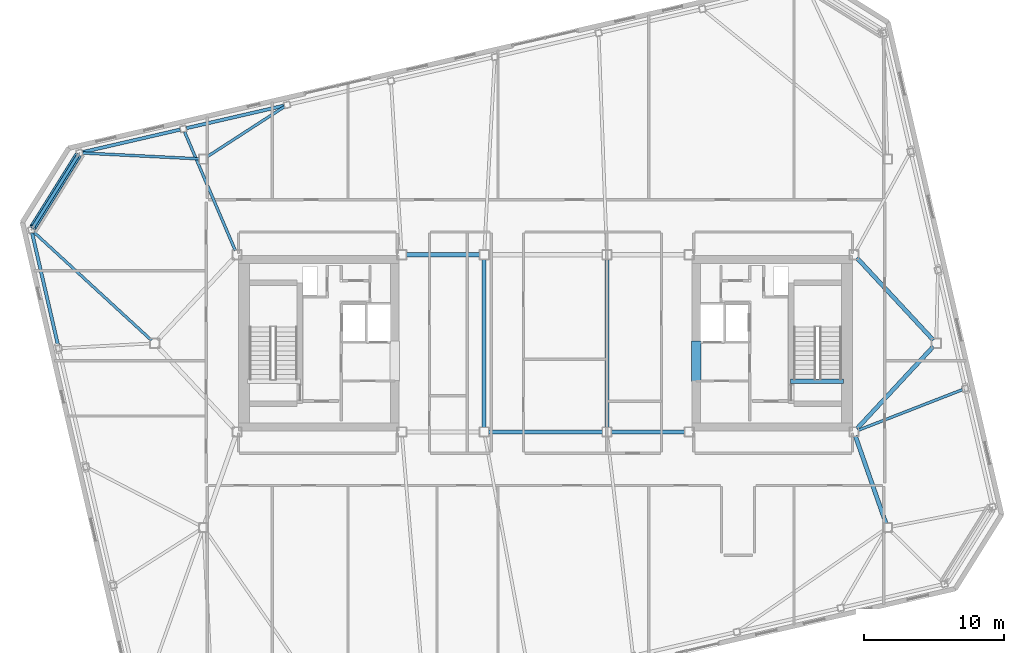
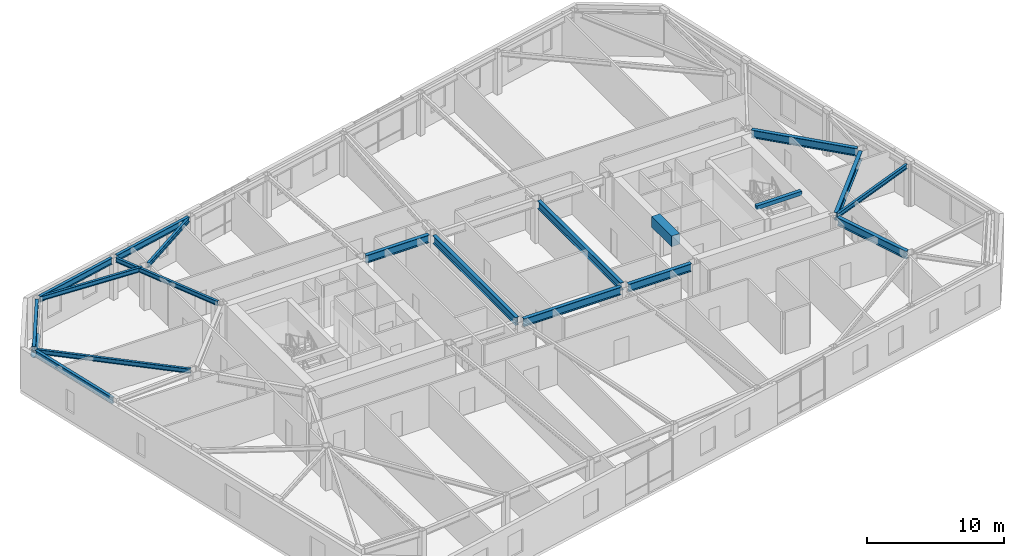
# One storey, part 11 of 23: 19 beams, 1 member.
"""IFC4 building model written with IfcOpenShell, lengths in metres."""

from ifc_helpers import new_model, si_unit, direction, frame, origin, origin_2d, place, context, subcontext, project, spatial, rectangle, hollow_circle, i_section, extrude, material, material_profile, profile_set, type_object, element, save


model = new_model("IFC4")

# Units and contexts
model_context = context("Model", 3, precision=1e-05, world=origin(), true_north=direction((0.0, 1.0)))
body_context = subcontext(model_context, "Body", "Model", "MODEL_VIEW")
ifc_project = project(units=[si_unit("LENGTHUNIT", "METRE"), si_unit("AREAUNIT", "SQUARE_METRE"), si_unit("VOLUMEUNIT", "CUBIC_METRE"), si_unit("PLANEANGLEUNIT", "RADIAN"), si_unit("MASSUNIT", "GRAM", prefix="KILO")], contexts=[model_context])

# Site, building, storey
site_placement = place(None, origin())
site = spatial("IfcSite", under=ifc_project, at=site_placement, CompositionType="ELEMENT")
building_placement = place(site_placement, origin())
building = spatial("IfcBuilding", under=site, at=building_placement, Name="Tavrogorsk Clinical Tower", CompositionType="ELEMENT")
storey_placement = place(building_placement, frame((0.0, 0.0, 293.0)))
storey = spatial("IfcBuildingStorey", under=building, at=storey_placement, Name="L68", CompositionType="ELEMENT", Elevation=293.0)

# Beam
ifc_material_1 = material(Name="Concrete B80", Category="concrete")
ifc_material_profile_1 = material_profile(ifc_material_1, rectangle(XDim=0.699951171875, YDim=0.949951171875, at=origin_2d()), Name="RC-CB-700x950")
ifc_profile_set_1 = profile_set([ifc_material_profile_1], Name="Concrete B80")
beam_type_1 = type_object("IfcBeamType", Name="CouplingBeam_RC700x950", PredefinedType="LINTEL", material=ifc_profile_set_1)
beam_1_placement = place(storey_placement, frame((10.800048828125, -2.75, 3.264892578125), z_axis=(0.0, 1.0, 0.0), x_axis=(-1.0, 0.0, 0.0)))
element("IfcBeam", 1, at=beam_1_placement, inside=storey, type_object=beam_type_1, Name="L68 Core East Coupling Beam", PredefinedType="LINTEL", context=body_context, shape_type="SweptSolid", body=[
    extrude(rectangle(XDim=0.699951171875, YDim=0.949951171875, at=origin_2d()), origin(), (0.0, 0.0, 1.0), 2.89990234375),
])

# Member
ifc_material_2 = material(Name="Structural steel S440", Category="steel")
ifc_material_profile_2 = material_profile(ifc_material_2, hollow_circle(Radius=0.25390625, WallThickness=0.02001953125, at=origin_2d()), Name="CHS-508x20")
ifc_profile_set_2 = profile_set([ifc_material_profile_2], Name="Structural steel S440")
member_type = type_object("IfcMemberType", Name="ExoBrace_CHS508", PredefinedType="BRACE", material=ifc_profile_set_2)
member_placement = place(storey_placement, frame((-33.501708984375, 13.4638671875, 0.393310546875), z_axis=(-0.485643868835, -0.777221605895, 0.400095748531), x_axis=(0.848056967697, -0.529905066536, 0.0)))
element("IfcMember", 2, at=member_placement, inside=storey, type_object=member_type, Name="L68 Corner Exoskeleton Brace N8-W1", PredefinedType="BRACE", context=body_context, shape_type="SweptSolid", body=[
    extrude(hollow_circle(Radius=0.25390625, WallThickness=0.02001953125, at=origin_2d()), origin(), (0.0, 0.0, 1.0), 6.63232421875),
])

# Beams
ifc_material_3 = material(Name="Structural steel S355", Category="steel")
ifc_material_profile_3 = material_profile(ifc_material_3, i_section(OverallWidth=0.199951171875, OverallDepth=0.39990234375, WebThickness=0.010498046875, FlangeThickness=0.01611328125, at=origin_2d()), Name="B-400x200x10.5x16")
ifc_profile_set_3 = profile_set([ifc_material_profile_3], Name="Structural steel S355")
beam_type_2 = type_object("IfcBeamType", Name="FloorBeam_B400", PredefinedType="BEAM", material=ifc_profile_set_3)
beam_2_placement = place(storey_placement, frame((-24.23974609375, 13.36865234375, 3.5400390625), z_axis=(0.839287867478, 0.543687295699, 0.0), x_axis=(-0.543687295699, 0.839287867478, 0.0)))
element("IfcBeam", 3, at=beam_2_placement, inside=storey, type_object=beam_type_2, Name="L68 Radial Floor Beam N6", PredefinedType="BEAM", context=body_context, shape_type="SweptSolid", body=[
    extrude(i_section(OverallWidth=0.199951171875, OverallDepth=0.39990234375, WebThickness=0.010498046875, FlangeThickness=0.01611328125, at=origin_2d()), origin(), (0.0, 0.0, 1.0), 6.592529296875),
])
beam_3_placement = place(storey_placement, frame((-22.2216796875, 6.635009765625, 3.5400390625), z_axis=(-0.392852744382, 0.919601392578, 0.0), x_axis=(-0.919601392578, -0.392852744382, 0.0)))
element("IfcBeam", 4, at=beam_3_placement, inside=storey, type_object=beam_type_2, Name="L68 Radial Floor Beam N7", PredefinedType="BEAM", context=body_context, shape_type="SweptSolid", body=[
    extrude(i_section(OverallWidth=0.199951171875, OverallDepth=0.39990234375, WebThickness=0.010498046875, FlangeThickness=0.01611328125, at=origin_2d()), origin(), (0.0, 0.0, 1.0), 9.25732421875),
])
beam_4_placement = place(storey_placement, frame((-24.8095703125, 13.215576171875, 3.5400390625), z_axis=(-0.998749933549, 0.049985700304, 0.0), x_axis=(-0.049985700304, -0.998749933549, 0.0)))
element("IfcBeam", 5, at=beam_4_placement, inside=storey, type_object=beam_type_2, Name="L68 Radial Floor Beam N8", PredefinedType="BEAM", context=body_context, shape_type="SweptSolid", body=[
    extrude(i_section(OverallWidth=0.199951171875, OverallDepth=0.39990234375, WebThickness=0.010498046875, FlangeThickness=0.01611328125, at=origin_2d()), origin(), (0.0, 0.0, 1.0), 8.35693359375),
])
beam_5_placement = place(storey_placement, frame((22.388916015625, -6.237548828125, 3.5400390625), z_axis=(0.931736989786, 0.363133834647, 0.0), x_axis=(-0.363133834647, 0.931736989786, 0.0)))
element("IfcBeam", 6, at=beam_5_placement, inside=storey, type_object=beam_type_2, Name="L68 Radial Floor Beam E2", PredefinedType="BEAM", context=body_context, shape_type="SweptSolid", body=[
    extrude(i_section(OverallWidth=0.199951171875, OverallDepth=0.39990234375, WebThickness=0.010498046875, FlangeThickness=0.01611328125, at=origin_2d()), origin(), (0.0, 0.0, 1.0), 8.01806640625),
])
beam_6_placement = place(storey_placement, frame((-28.228271484375, 0.2099609375, 3.5400390625), z_axis=(-0.735959452605, 0.677025615557, 0.0), x_axis=(-0.677025615557, -0.735959452605, 0.0)))
element("IfcBeam", 7, at=beam_6_placement, inside=storey, type_object=beam_type_2, Name="L68 Radial Floor Beam W1", PredefinedType="BEAM", context=body_context, shape_type="SweptSolid", body=[
    extrude(i_section(OverallWidth=0.199951171875, OverallDepth=0.39990234375, WebThickness=0.010498046875, FlangeThickness=0.01611328125, at=origin_2d()), origin(), (0.0, 0.0, 1.0), 11.462646484375),
])
ifc_material_4 = material(Name="Structural steel S390", Category="steel")
ifc_material_profile_4 = material_profile(ifc_material_4, i_section(OverallWidth=0.300048828125, OverallDepth=0.699951171875, WebThickness=0.01708984375, FlangeThickness=0.028076171875, at=origin_2d()), Name="B-700x300x17x28")
ifc_profile_set_4 = profile_set([ifc_material_profile_4], Name="Structural steel S390")
beam_type_3 = type_object("IfcBeamType", Name="PrimaryGirder_B700", PredefinedType="USERDEFINED", material=ifc_profile_set_4)
beam_7_placement = place(storey_placement, frame((-9.989990234375, 6.35009765625, 3.389892578125), z_axis=(1.0, 0.0, 0.0), x_axis=(0.0, 1.0, 0.0)))
element("IfcBeam", 8, at=beam_7_placement, inside=storey, type_object=beam_type_3, Name="L68 Primary Spine Girder MG-02", ObjectType="GIRDER", PredefinedType="USERDEFINED", context=body_context, shape_type="SweptSolid", body=[
    extrude(i_section(OverallWidth=0.300048828125, OverallDepth=0.699951171875, WebThickness=0.01708984375, FlangeThickness=0.028076171875, at=origin_2d()), origin(), (0.0, 0.0, 1.0), 5.280029296875),
])
beam_8_placement = place(storey_placement, frame((-4.090087890625, -6.35009765625, 3.389892578125), z_axis=(1.0, 0.0, 0.0), x_axis=(0.0, 1.0, 0.0)))
element("IfcBeam", 9, at=beam_8_placement, inside=storey, type_object=beam_type_3, Name="L68 Primary Spine Girder MG-03", ObjectType="GIRDER", PredefinedType="USERDEFINED", context=body_context, shape_type="SweptSolid", body=[
    extrude(i_section(OverallWidth=0.300048828125, OverallDepth=0.699951171875, WebThickness=0.01708984375, FlangeThickness=0.028076171875, at=origin_2d()), origin(), (0.0, 0.0, 1.0), 8.18017578125),
])
beam_9_placement = place(storey_placement, frame((4.7099609375, -6.35009765625, 3.389892578125), z_axis=(1.0, 0.0, 0.0), x_axis=(0.0, 1.0, 0.0)))
element("IfcBeam", 10, at=beam_9_placement, inside=storey, type_object=beam_type_3, Name="L68 Primary Spine Girder MG-05", ObjectType="GIRDER", PredefinedType="USERDEFINED", context=body_context, shape_type="SweptSolid", body=[
    extrude(i_section(OverallWidth=0.300048828125, OverallDepth=0.699951171875, WebThickness=0.01708984375, FlangeThickness=0.028076171875, at=origin_2d()), origin(), (0.0, 0.0, 1.0), 5.280029296875),
])
for number, where, z_axis, x_axis, name in (
    (11, (-4.39990234375, -6.0400390625, 3.389892578125), (0.0, 1.0, 0.0), (-1.0, 0.0, 0.0), "L68 Primary Spine Girder MG-07"),
    (12, (4.39990234375, -6.0400390625, 3.389892578125), (0.0, 1.0, 0.0), (-1.0, 0.0, 0.0), "L68 Primary Spine Girder MG-08"),
):
    element("IfcBeam", number, at=place(storey_placement, frame(where, z_axis=z_axis, x_axis=x_axis)), inside=storey, type_object=beam_type_3, Name=name, ObjectType="GIRDER", PredefinedType="USERDEFINED", context=body_context, shape_type="SweptSolid", body=[
        extrude(i_section(OverallWidth=0.300048828125, OverallDepth=0.699951171875, WebThickness=0.01708984375, FlangeThickness=0.028076171875, at=origin_2d()), origin(), (0.0, 0.0, 1.0), 12.080078125),
    ])
beam_10_placement = place(storey_placement, frame((24.3974609375, -12.907470703125, 3.389892578125), z_axis=(-0.330666578092, 0.943747643246, 0.0), x_axis=(-0.943747643246, -0.330666578092, 0.0)))
element("IfcBeam", 13, at=beam_10_placement, inside=storey, type_object=beam_type_3, Name="L68 Spine Link Girder OPG-2", ObjectType="GIRDER", PredefinedType="USERDEFINED", context=body_context, shape_type="SweptSolid", body=[
    extrude(i_section(OverallWidth=0.300048828125, OverallDepth=0.699951171875, WebThickness=0.01708984375, FlangeThickness=0.028076171875, at=origin_2d()), origin(), (0.0, 0.0, 1.0), 6.638427734375),
])
for number, where, z_axis, x_axis, name in (
    (14, (27.7890625, -0.22705078125, 3.389892578125), (-0.680677963005, -0.732582767119, 0.0), (0.732582767119, -0.680677963005, 0.0), "L68 Spine Link Girder OPG-7"),
    (15, (27.7890625, 0.22705078125, 3.389892578125), (-0.680677963005, 0.732582767119, 0.0), (-0.732582767119, -0.680677963005, 0.0), "L68 Spine Link Girder OPG-8"),
):
    element("IfcBeam", number, at=place(storey_placement, frame(where, z_axis=z_axis, x_axis=x_axis)), inside=storey, type_object=beam_type_3, Name=name, ObjectType="GIRDER", PredefinedType="USERDEFINED", context=body_context, shape_type="SweptSolid", body=[
        extrude(i_section(OverallWidth=0.300048828125, OverallDepth=0.699951171875, WebThickness=0.01708984375, FlangeThickness=0.028076171875, at=origin_2d()), origin(), (0.0, 0.0, 1.0), 8.0478515625),
    ])
ifc_material_5 = material(Name="Structural steel S390", Category="steel")
ifc_material_profile_5 = material_profile(ifc_material_5, i_section(OverallWidth=0.239990234375, OverallDepth=0.550048828125, WebThickness=0.013916015625, FlangeThickness=0.02197265625, at=origin_2d()), Name="B-550x240x14x22")
ifc_profile_set_5 = profile_set([ifc_material_profile_5], Name="Structural steel S390")
beam_type_4 = type_object("IfcBeamType", Name="SpandrelBeam_B550", PredefinedType="SPANDREL", material=ifc_profile_set_5)
beam_11_placement = place(storey_placement, frame((-18.73828125, 17.027099609375, 3.465087890625), z_axis=(-0.97437684326, -0.224921691527, 0.0), x_axis=(0.224921691527, -0.97437684326, 0.0)))
element("IfcBeam", 16, at=beam_11_placement, inside=storey, type_object=beam_type_4, Name="L68 Perimeter Spandrel N6-N7", PredefinedType="SPANDREL", context=body_context, shape_type="SweptSolid", body=[
    extrude(i_section(OverallWidth=0.239990234375, OverallDepth=0.550048828125, WebThickness=0.013916015625, FlangeThickness=0.02197265625, at=origin_2d()), origin(), (0.0, 0.0, 1.0), 7.168212890625),
])
beam_12_placement = place(storey_placement, frame((-26.177001953125, 15.309814453125, 3.465087890625), z_axis=(-0.974369378592, -0.224954026551, 0.0), x_axis=(0.224954026551, -0.974369378592, 0.0)))
element("IfcBeam", 17, at=beam_12_placement, inside=storey, type_object=beam_type_4, Name="L68 Perimeter Spandrel N7-N8", PredefinedType="SPANDREL", context=body_context, shape_type="SweptSolid", body=[
    extrude(i_section(OverallWidth=0.239990234375, OverallDepth=0.550048828125, WebThickness=0.013916015625, FlangeThickness=0.02197265625, at=origin_2d()), origin(), (0.0, 0.0, 1.0), 7.16845703125),
])
beam_13_placement = place(storey_placement, frame((-33.511962890625, 13.447265625, 3.465087890625), z_axis=(-0.529933531413, -0.848039180866, 0.0), x_axis=(0.848039180866, -0.529933531413, 0.0)))
element("IfcBeam", 18, at=beam_13_placement, inside=storey, type_object=beam_type_4, Name="L68 Perimeter Spandrel N8-W1", PredefinedType="SPANDREL", context=body_context, shape_type="SweptSolid", body=[
    extrude(i_section(OverallWidth=0.239990234375, OverallDepth=0.550048828125, WebThickness=0.013916015625, FlangeThickness=0.02197265625, at=origin_2d()), origin(), (0.0, 0.0, 1.0), 6.039306640625),
])
beam_14_placement = place(storey_placement, frame((-36.783447265625, 7.901123046875, 3.465087890625), z_axis=(0.224950345141, -0.974370228517, 0.0), x_axis=(0.974370228517, 0.224950345141, 0.0)))
element("IfcBeam", 19, at=beam_14_placement, inside=storey, type_object=beam_type_4, Name="L68 Perimeter Spandrel W1-W2", PredefinedType="SPANDREL", context=body_context, shape_type="SweptSolid", body=[
    extrude(i_section(OverallWidth=0.239990234375, OverallDepth=0.550048828125, WebThickness=0.013916015625, FlangeThickness=0.02197265625, at=origin_2d()), origin(), (0.0, 0.0, 1.0), 8.243896484375),
])
ifc_material_6 = material(Name="Concrete B60", Category="concrete")
ifc_material_profile_6 = material_profile(ifc_material_6, rectangle(XDim=0.300048828125, YDim=0.35009765625, at=origin_2d()), Name="RC-SHB-300x350")
ifc_profile_set_6 = profile_set([ifc_material_profile_6], Name="Concrete B60")
beam_type_5 = type_object("IfcBeamType", Name="StairHeaderBeam_RC300x350", PredefinedType="BEAM", material=ifc_profile_set_6)
beam_15_placement = place(storey_placement, frame((17.550048828125, -2.719970703125, 3.824951171875), z_axis=(1.0, 0.0, 0.0), x_axis=(0.0, 1.0, 0.0)))
element("IfcBeam", 20, at=beam_15_placement, inside=storey, type_object=beam_type_5, Name="L69 ST-E Landing Header Beam", PredefinedType="BEAM", context=body_context, shape_type="SweptSolid", body=[
    extrude(rectangle(XDim=0.300048828125, YDim=0.35009765625, at=origin_2d()), origin(), (0.0, 0.0, 1.0), 3.800048828125),
])

save(model, "model.ifc")
